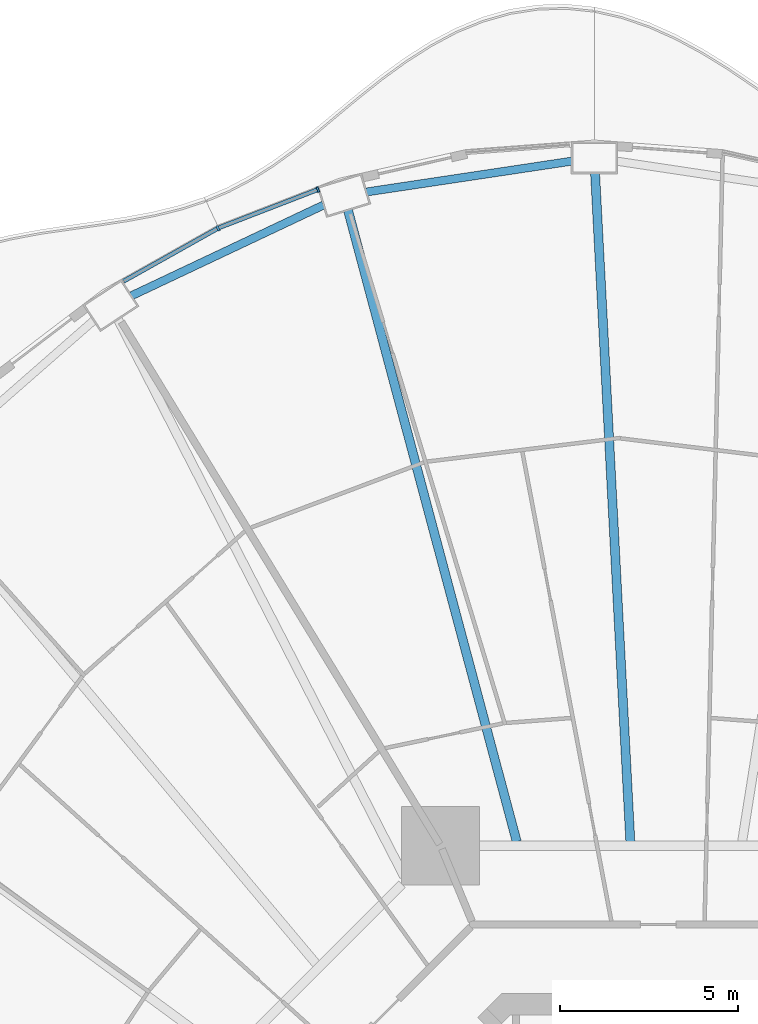
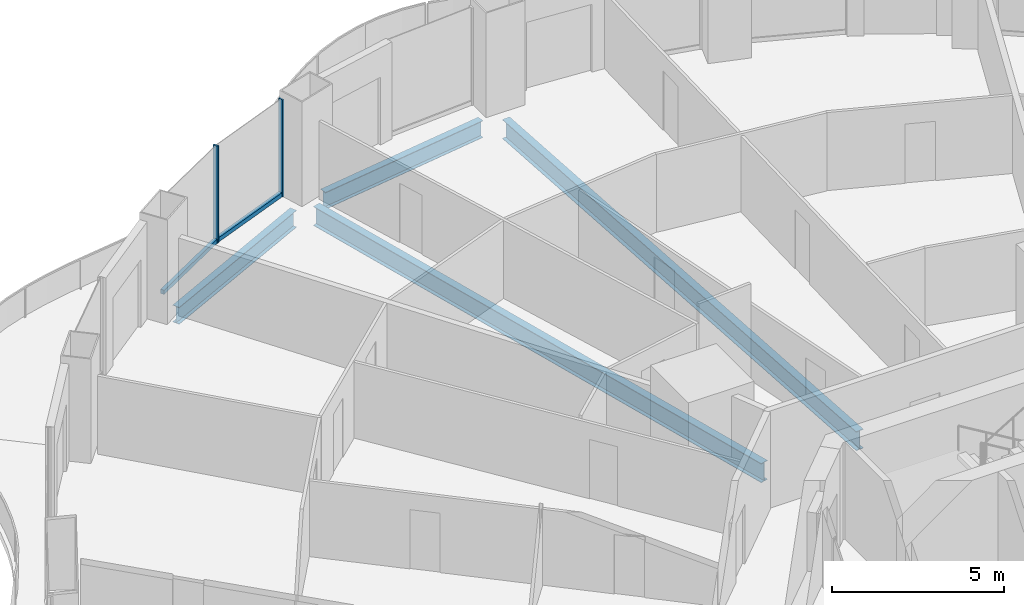
# One storey, part 9 of 24: 4 beams, 4 members, 2 elements without a shape of their own.
"""IFC4 building model written with IfcOpenShell, lengths in metres."""

from ifc_helpers import new_model, si_unit, direction, frame, origin, origin_2d, place, context, subcontext, project, spatial, rectangle, i_section, extrude, material, layer, layer_set, material_profile, profile_set, type_object, element, aggregate, save


model = new_model("IFC4")

# Units and contexts
model_context = context("Model", 3, precision=1e-05, world=origin(), true_north=direction((0.0, 1.0)))
body_context = subcontext(model_context, "Body", "Model", "MODEL_VIEW")
ifc_project = project(units=[si_unit("LENGTHUNIT", "METRE"), si_unit("AREAUNIT", "SQUARE_METRE"), si_unit("VOLUMEUNIT", "CUBIC_METRE"), si_unit("PLANEANGLEUNIT", "RADIAN"), si_unit("MASSUNIT", "GRAM", prefix="KILO")], contexts=[model_context])

# Site, building, storey
site_placement = place(None, origin())
site = spatial("IfcSite", under=ifc_project, at=site_placement, CompositionType="ELEMENT")
building_placement = place(site_placement, origin())
building = spatial("IfcBuilding", under=site, at=building_placement, Name="Nagisa Residences", CompositionType="ELEMENT")
storey_placement = place(building_placement, frame((0.0, 0.0, 102.89990234375)))
storey = spatial("IfcBuildingStorey", under=building, at=storey_placement, Name="L25", CompositionType="ELEMENT", Elevation=102.89990234375)

# Curtain wall, member
ifc_material_1 = material(Name="Concrete-coloured aluminium curtain wall system", Category="concrete")
ifc_layer = layer(ifc_material_1, 0.159912109375)
ifc_layer_set = layer_set([ifc_layer], Name="CW1 CURTAIN WALL")
curtain_wall_type = type_object("IfcCurtainWallType", Name="CW1 CURTAIN WALL", PredefinedType="NOTDEFINED", material=ifc_layer_set)
curtain_wall_1_placement = place(storey_placement, origin())
curtain_wall_1 = element("IfcCurtainWall", 1, at=curtain_wall_1_placement, inside=storey, type_object=curtain_wall_type, Name="cw:CW1:L25:14", PredefinedType="NOTDEFINED")
ifc_material_2 = material(Name="Concrete-coloured aluminium", Category="concrete")
ifc_material_profile_1 = material_profile(ifc_material_2, rectangle(XDim=0.159912109375, YDim=0.06005859375, at=origin_2d()), Name="CW1 MULLION 160x60")
ifc_profile_set_1 = profile_set([ifc_material_profile_1], Name="Concrete-coloured aluminium")
member_type_1 = type_object("IfcMemberType", Name="CW1 MULLION 160x60", PredefinedType="MULLION", material=ifc_profile_set_1)
member_1_placement = place(storey_placement, frame((-9.573486328125, 33.2392578125, 0.0), z_axis=(0.0, 0.0, 1.0), x_axis=(0.360327770268, -0.932825759707, 0.0)))
member_1 = element("IfcMember", 2, at=member_1_placement, type_object=member_type_1, Name="CW1 mullion", PredefinedType="MULLION", context=body_context, shape_type="SweptSolid", body=[
    extrude(rectangle(XDim=0.159912109375, YDim=0.06005859375, at=origin_2d()), origin(), (0.0, 0.0, 1.0), 3.440185546875),
])

curtain_wall_2_placement = place(storey_placement, origin())
curtain_wall_2 = element("IfcCurtainWall", 3, at=curtain_wall_2_placement, inside=storey, type_object=curtain_wall_type, Name="cw:CW1:L25:15", PredefinedType="NOTDEFINED")
member_2_placement = place(storey_placement, frame((-12.385498046875, 32.1494140625, 0.0), z_axis=(0.0, 0.0, 1.0), x_axis=(0.489376918501, -0.872072377523, 0.0)))
member_2 = element("IfcMember", 4, at=member_2_placement, type_object=member_type_1, Name="CW1 mullion", PredefinedType="MULLION", context=body_context, shape_type="SweptSolid", body=[
    extrude(rectangle(XDim=0.159912109375, YDim=0.06005859375, at=origin_2d()), origin(), (0.0, 0.0, 1.0), 3.440185546875),
])

# Member
ifc_material_3 = material(Name="Concrete-coloured aluminium", Category="concrete")
ifc_material_profile_2 = material_profile(ifc_material_3, rectangle(XDim=0.1201171875, YDim=0.14990234375, at=origin_2d()), Name="CW1 TRANSOM 120x150")
ifc_profile_set_2 = profile_set([ifc_material_profile_2], Name="Concrete-coloured aluminium")
member_type_2 = type_object("IfcMemberType", Name="CW1 TRANSOM 120x150", PredefinedType="USERDEFINED", material=ifc_profile_set_2)
member_3_placement = place(storey_placement, frame((-9.54541015625, 33.25, 0.0751953125), z_axis=(-0.932837560624, -0.360297218263, 0.0), x_axis=(0.360297218263, -0.932837560624, 0.0)))
member_3 = element("IfcMember", 5, at=member_3_placement, type_object=member_type_2, Name="CW1 transom", ObjectType="TRANSOM", PredefinedType="USERDEFINED", context=body_context, shape_type="SweptSolid", body=[
    extrude(rectangle(XDim=0.1201171875, YDim=0.14990234375, at=origin_2d()), origin(), (0.0, 0.0, 1.0), 3.027587890625),
])

aggregate(curtain_wall_1, [member_1, member_3])

member_4_placement = place(storey_placement, frame((-12.359375, 32.1640625, 0.0751953125), z_axis=(-0.872037280335, -0.489439456631, 0.0), x_axis=(0.489439456631, -0.872037280335, 0.0)))
member_4 = element("IfcMember", 6, at=member_4_placement, type_object=member_type_2, Name="CW1 transom", ObjectType="TRANSOM", PredefinedType="USERDEFINED", context=body_context, shape_type="SweptSolid", body=[
    extrude(rectangle(XDim=0.1201171875, YDim=0.14990234375, at=origin_2d()), origin(), (0.0, 0.0, 1.0), 3.07568359375),
])

aggregate(curtain_wall_2, [member_2, member_4])

# Beams
ifc_material_4 = material(Name="Steel ASTM A572 Gr 50", Category="steel")
ifc_material_profile_3 = material_profile(ifc_material_4, i_section(OverallWidth=0.22802734375, OverallDepth=0.60302734375, WebThickness=0.010498046875, FlangeThickness=0.014892578125, at=origin_2d()), Name="W610x101")
ifc_profile_set_3 = profile_set([ifc_material_profile_3], Name="Steel ASTM A572 Gr 50")
beam_type_1 = type_object("IfcBeamType", Name="Perimeter ring beam W610x101", PredefinedType="BEAM", material=ifc_profile_set_3)
beam_1_placement = place(storey_placement, frame((-2.43017578125, 34.0380859375, -0.5615234375), z_axis=(-0.988913048607, -0.148495731568, 0.0), x_axis=(0.148495731568, -0.988913048607, 0.0)))
element("IfcBeam", 7, at=beam_1_placement, inside=storey, type_object=beam_type_1, Name="beam:L25:pb07", PredefinedType="BEAM", context=body_context, shape_type="SweptSolid", body=[
    extrude(i_section(OverallWidth=0.22802734375, OverallDepth=0.60302734375, WebThickness=0.010498046875, FlangeThickness=0.014892578125, at=origin_2d()), origin(), (0.0, 0.0, 1.0), 5.843017578125),
])
beam_2_placement = place(storey_placement, frame((-9.41455078125, 32.8037109375, -0.5615234375), z_axis=(-0.90418952838, -0.427131474804, 0.0), x_axis=(0.427131474804, -0.90418952838, 0.0)))
element("IfcBeam", 8, at=beam_2_placement, inside=storey, type_object=beam_type_1, Name="beam:L25:pb08", PredefinedType="BEAM", context=body_context, shape_type="SweptSolid", body=[
    extrude(i_section(OverallWidth=0.22802734375, OverallDepth=0.60302734375, WebThickness=0.010498046875, FlangeThickness=0.014892578125, at=origin_2d()), origin(), (0.0, 0.0, 1.0), 5.98046875),
])
ifc_material_5 = material(Name="Steel ASTM A572 Gr 50", Category="steel")
ifc_material_profile_4 = material_profile(ifc_material_5, i_section(OverallWidth=0.2529296875, OverallDepth=0.677978515625, WebThickness=0.01171875, FlangeThickness=0.016357421875, at=origin_2d()), Name="W690x125")
ifc_profile_set_4 = profile_set([ifc_material_profile_4], Name="Steel ASTM A572 Gr 50")
beam_type_2 = type_object("IfcBeamType", Name="Radial beam W690x125", PredefinedType="BEAM", material=ifc_profile_set_4)
beam_3_placement = place(storey_placement, frame((-1.77734375, 33.70263671875, -0.598876953125), z_axis=(0.05266700958, -0.998612129959, 0.0), x_axis=(0.998612129959, 0.05266700958, 0.0)))
element("IfcBeam", 9, at=beam_3_placement, inside=storey, type_object=beam_type_2, Name="beam:L25:rb07", PredefinedType="BEAM", context=body_context, shape_type="SweptSolid", body=[
    extrude(i_section(OverallWidth=0.2529296875, OverallDepth=0.677978515625, WebThickness=0.01171875, FlangeThickness=0.016357421875, at=origin_2d()), origin(), (0.0, 0.0, 1.0), 18.834228515625),
])
beam_4_placement = place(storey_placement, frame((-8.7275390625, 32.66015625, -0.598876953125), z_axis=(0.258170831181, -0.96609928161, 0.0), x_axis=(0.96609928161, 0.258170831181, 0.0)))
element("IfcBeam", 10, at=beam_4_placement, inside=storey, type_object=beam_type_2, Name="beam:L25:rb08", PredefinedType="BEAM", context=body_context, shape_type="SweptSolid", body=[
    extrude(i_section(OverallWidth=0.2529296875, OverallDepth=0.677978515625, WebThickness=0.01171875, FlangeThickness=0.016357421875, at=origin_2d()), origin(), (0.0, 0.0, 1.0), 18.38818359375),
])

save(model, "model.ifc")
